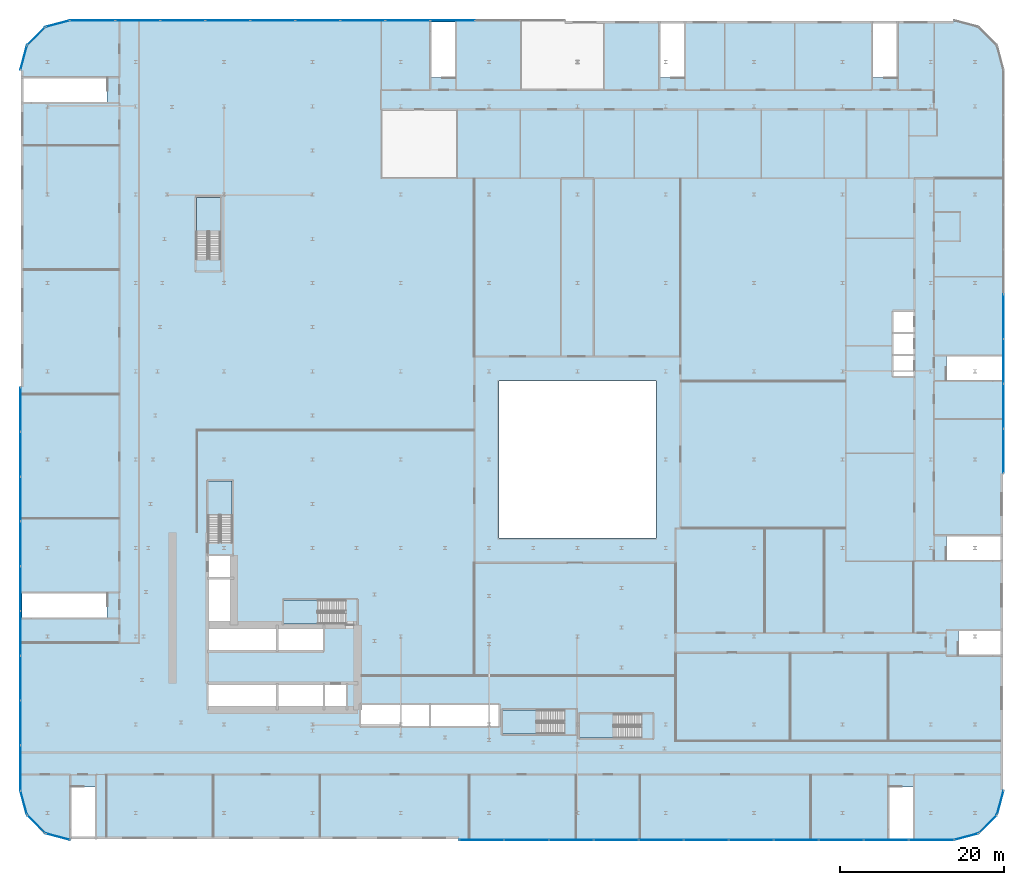
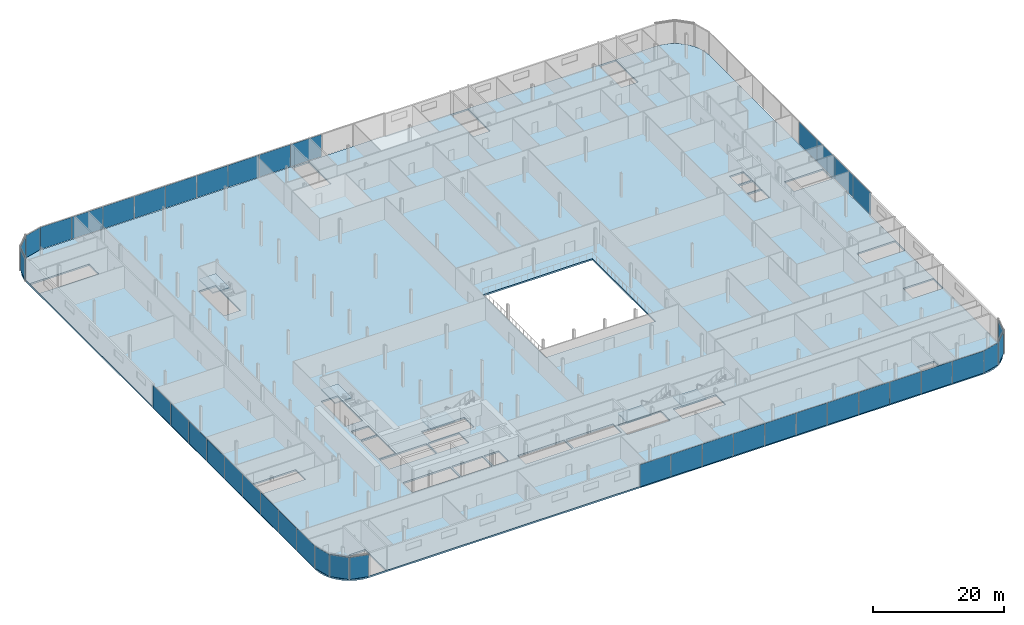
# One storey, part 24 of 43: 42 plates, 6 slabs, 18 elements without a shape of their own.
"""IFC4 building model written with IfcOpenShell, lengths in metres."""

from ifc_helpers import new_model, si_unit, direction, frame, origin, origin_2d, place, context, subcontext, project, spatial, polyline, rectangle, outline, extrude, material, layer, layer_set, type_object, element, aggregate, save


model = new_model("IFC4")

# Units and contexts
model_context = context("Model", 3, precision=1e-05, world=origin(), true_north=direction((0.0, 1.0)))
body_context = subcontext(model_context, "Body", "Model", "MODEL_VIEW")
ifc_project = project(units=[si_unit("LENGTHUNIT", "METRE"), si_unit("AREAUNIT", "SQUARE_METRE"), si_unit("VOLUMEUNIT", "CUBIC_METRE"), si_unit("PLANEANGLEUNIT", "RADIAN"), si_unit("MASSUNIT", "GRAM", prefix="KILO")], contexts=[model_context])

# Site, building, storey
site_placement = place(None, origin())
site = spatial("IfcSite", under=ifc_project, at=site_placement, CompositionType="ELEMENT")
building_placement = place(site_placement, origin())
building = spatial("IfcBuilding", under=site, at=building_placement, Name="Kheshtan School and Residences Tower", CompositionType="ELEMENT")
storey_placement = place(building_placement, frame((0.0, 0.0, 26.0)))
storey = spatial("IfcBuildingStorey", under=building, at=storey_placement, Name="L05", CompositionType="ELEMENT", Elevation=26.0)

# Curtain wall, plate
ifc_material_1 = material(Name="Clear low-e glass in thermally broken aluminium frame", Category="aluminium")
ifc_layer_1 = layer(ifc_material_1, 0.22509765625)
ifc_layer_set_1 = layer_set([ifc_layer_1], Name="Curtain wall CW-P")
curtain_wall_type = type_object("IfcCurtainWallType", Name="Curtain wall CW-P", PredefinedType="NOTDEFINED", material=ifc_layer_set_1)
curtain_wall_1_placement = place(storey_placement, origin())
curtain_wall_1 = element("IfcCurtainWall", 1, at=curtain_wall_1_placement, inside=storey, type_object=curtain_wall_type, Name="Curtain wall CWP1a", PredefinedType="NOTDEFINED")
ifc_layer_2 = layer(ifc_material_1, 0.035888671875)
ifc_layer_set_2 = layer_set([ifc_layer_2], Name="CW-P glass panel")
plate_type = type_object("IfcPlateType", Name="CW-P glass panel", PredefinedType="CURTAIN_PANEL", material=ifc_layer_set_2)
plate_1_placement = place(storey_placement, frame((12.305419921875, 105.52587890625, 0.0), z_axis=(0.0, 0.0, 1.0), x_axis=(0.258864833085, 0.965913556273, 0.0)))
plate_1 = element("IfcPlate", 2, at=plate_1_placement, type_object=plate_type, Name="CWP1a panel 1.1", PredefinedType="CURTAIN_PANEL", context=body_context, shape_type="SweptSolid", body=[
    extrude(rectangle(XDim=2.98583984375, YDim=0.035888671875, at=origin_2d()), origin(), (0.0, 0.0, 1.0), 4.110107421875),
])
aggregate(curtain_wall_1, [plate_1])

curtain_wall_2_placement = place(storey_placement, origin())
curtain_wall_2 = element("IfcCurtainWall", 3, at=curtain_wall_2_placement, inside=storey, type_object=curtain_wall_type, Name="Curtain wall CWP2a", PredefinedType="NOTDEFINED")
plate_2_placement = place(storey_placement, frame((13.831298828125, 108.168701171875, 0.0), z_axis=(0.0, 0.0, 1.0), x_axis=(0.707106781187, 0.707106781187, 0.0)))
plate_2 = element("IfcPlate", 4, at=plate_2_placement, type_object=plate_type, Name="CWP2a panel 1.1", PredefinedType="CURTAIN_PANEL", context=body_context, shape_type="SweptSolid", body=[
    extrude(rectangle(XDim=2.985595703125, YDim=0.035888671875, at=origin_2d()), origin(), (0.0, 0.0, 1.0), 4.110107421875),
])
aggregate(curtain_wall_2, [plate_2])

curtain_wall_3_placement = place(storey_placement, origin())
curtain_wall_3 = element("IfcCurtainWall", 5, at=curtain_wall_3_placement, inside=storey, type_object=curtain_wall_type, Name="Curtain wall CWP3a", PredefinedType="NOTDEFINED")
plate_3_placement = place(storey_placement, frame((16.47412109375, 109.694580078125, 0.0), z_axis=(0.0, 0.0, 1.0), x_axis=(0.965913556273, 0.258864833085, 0.0)))
plate_3 = element("IfcPlate", 6, at=plate_3_placement, type_object=plate_type, Name="CWP3a panel 1.1", PredefinedType="CURTAIN_PANEL", context=body_context, shape_type="SweptSolid", body=[
    extrude(rectangle(XDim=2.98583984375, YDim=0.035888671875, at=origin_2d()), origin(), (0.0, 0.0, 1.0), 4.110107421875),
])
aggregate(curtain_wall_3, [plate_3])

# Curtain wall, plates
curtain_wall_4_placement = place(storey_placement, origin())
curtain_wall_4 = element("IfcCurtainWall", 7, at=curtain_wall_4_placement, inside=storey, type_object=curtain_wall_type, Name="Curtain wall CWP4a", PredefinedType="NOTDEFINED")
plate_4_placement = place(storey_placement, frame((20.7216796875, 110.10009765625, 0.0), z_axis=(0.0, 0.0, 1.0), x_axis=(1.0, 0.0, 0.0)))
plate_4 = element("IfcPlate", 8, at=plate_4_placement, type_object=plate_type, Name="CWP4a panel 1.1", PredefinedType="CURTAIN_PANEL", context=body_context, shape_type="SweptSolid", body=[
    extrude(rectangle(XDim=5.4931640625, YDim=0.035888671875, at=origin_2d()), origin(), (0.0, 0.0, 1.0), 4.110107421875),
])
plate_5_placement = place(storey_placement, frame((26.247314453125, 110.10009765625, 0.0), z_axis=(0.0, 0.0, 1.0), x_axis=(1.0, 0.0, 0.0)))
plate_5 = element("IfcPlate", 9, at=plate_5_placement, type_object=plate_type, Name="CWP4a panel 2.1", PredefinedType="CURTAIN_PANEL", context=body_context, shape_type="SweptSolid", body=[
    extrude(rectangle(XDim=5.438232421875, YDim=0.035888671875, at=origin_2d()), origin(), (0.0, 0.0, 1.0), 4.110107421875),
])
plate_6_placement = place(storey_placement, frame((31.745361328125, 110.10009765625, 0.0), z_axis=(0.0, 0.0, 1.0), x_axis=(1.0, 0.0, 0.0)))
plate_6 = element("IfcPlate", 10, at=plate_6_placement, type_object=plate_type, Name="CWP4a panel 3.1", PredefinedType="CURTAIN_PANEL", context=body_context, shape_type="SweptSolid", body=[
    extrude(rectangle(XDim=5.438232421875, YDim=0.035888671875, at=origin_2d()), origin(), (0.0, 0.0, 1.0), 4.110107421875),
])
plate_7_placement = place(storey_placement, frame((37.24365234375, 110.10009765625, 0.0), z_axis=(0.0, 0.0, 1.0), x_axis=(1.0, 0.0, 0.0)))
plate_7 = element("IfcPlate", 11, at=plate_7_placement, type_object=plate_type, Name="CWP4a panel 4.1", PredefinedType="CURTAIN_PANEL", context=body_context, shape_type="SweptSolid", body=[
    extrude(rectangle(XDim=5.438232421875, YDim=0.035888671875, at=origin_2d()), origin(), (0.0, 0.0, 1.0), 4.110107421875),
])
plate_8_placement = place(storey_placement, frame((42.74169921875, 110.10009765625, 0.0), z_axis=(0.0, 0.0, 1.0), x_axis=(1.0, 0.0, 0.0)))
plate_8 = element("IfcPlate", 12, at=plate_8_placement, type_object=plate_type, Name="CWP4a panel 5.1", PredefinedType="CURTAIN_PANEL", context=body_context, shape_type="SweptSolid", body=[
    extrude(rectangle(XDim=5.438232421875, YDim=0.035888671875, at=origin_2d()), origin(), (0.0, 0.0, 1.0), 4.110107421875),
])
plate_9_placement = place(storey_placement, frame((48.239990234375, 110.10009765625, 0.0), z_axis=(0.0, 0.0, 1.0), x_axis=(1.0, 0.0, 0.0)))
plate_9 = element("IfcPlate", 13, at=plate_9_placement, type_object=plate_type, Name="CWP4a panel 6.1", PredefinedType="CURTAIN_PANEL", context=body_context, shape_type="SweptSolid", body=[
    extrude(rectangle(XDim=5.438232421875, YDim=0.035888671875, at=origin_2d()), origin(), (0.0, 0.0, 1.0), 4.110107421875),
])
plate_10_placement = place(storey_placement, frame((53.73828125, 110.10009765625, 0.0), z_axis=(0.0, 0.0, 1.0), x_axis=(1.0, 0.0, 0.0)))
plate_10 = element("IfcPlate", 14, at=plate_10_placement, type_object=plate_type, Name="CWP4a panel 7.1", PredefinedType="CURTAIN_PANEL", context=body_context, shape_type="SweptSolid", body=[
    extrude(rectangle(XDim=5.438232421875, YDim=0.035888671875, at=origin_2d()), origin(), (0.0, 0.0, 1.0), 4.110107421875),
])
plate_11_placement = place(storey_placement, frame((59.236328125, 110.10009765625, 0.0), z_axis=(0.0, 0.0, 1.0), x_axis=(1.0, 0.0, 0.0)))
plate_11 = element("IfcPlate", 15, at=plate_11_placement, type_object=plate_type, Name="CWP4a panel 8.1", PredefinedType="CURTAIN_PANEL", context=body_context, shape_type="SweptSolid", body=[
    extrude(rectangle(XDim=5.438232421875, YDim=0.035888671875, at=origin_2d()), origin(), (0.0, 0.0, 1.0), 4.110107421875),
])
plate_12_placement = place(storey_placement, frame((64.734619140625, 110.10009765625, 0.0), z_axis=(0.0, 0.0, 1.0), x_axis=(1.0, 0.0, 0.0)))
plate_12 = element("IfcPlate", 16, at=plate_12_placement, type_object=plate_type, Name="CWP4a panel 9.1", PredefinedType="CURTAIN_PANEL", context=body_context, shape_type="SweptSolid", body=[
    extrude(rectangle(XDim=5.438232421875, YDim=0.035888671875, at=origin_2d()), origin(), (0.0, 0.0, 1.0), 4.110107421875),
])
aggregate(curtain_wall_4, [plate_4, plate_5, plate_6, plate_7, plate_8, plate_9, plate_10, plate_11, plate_12])

curtain_wall_5_placement = place(storey_placement, origin())
curtain_wall_5 = element("IfcCurtainWall", 17, at=curtain_wall_5_placement, inside=storey, type_object=curtain_wall_type, Name="Curtain wall CWP8a", PredefinedType="NOTDEFINED")
plate_13_placement = place(storey_placement, frame((132.10009765625, 73.884521484375, 0.0), z_axis=(0.0, 0.0, 1.0), x_axis=(0.0, -1.0, 0.0)))
plate_13 = element("IfcPlate", 18, at=plate_13_placement, type_object=plate_type, Name="CWP8a panel 6.1", PredefinedType="CURTAIN_PANEL", context=body_context, shape_type="SweptSolid", body=[
    extrude(rectangle(XDim=5.41552734375, YDim=0.035888671875, at=origin_2d()), origin(), (0.0, 0.0, 1.0), 4.110107421875),
])
plate_14_placement = place(storey_placement, frame((132.10009765625, 68.408935546875, 0.0), z_axis=(0.0, 0.0, 1.0), x_axis=(0.0, -1.0, 0.0)))
plate_14 = element("IfcPlate", 19, at=plate_14_placement, type_object=plate_type, Name="CWP8a panel 7.1", PredefinedType="CURTAIN_PANEL", context=body_context, shape_type="SweptSolid", body=[
    extrude(rectangle(XDim=5.41552734375, YDim=0.035888671875, at=origin_2d()), origin(), (0.0, 0.0, 1.0), 4.110107421875),
])
plate_15_placement = place(storey_placement, frame((132.10009765625, 62.933349609375, 0.0), z_axis=(0.0, 0.0, 1.0), x_axis=(0.0, -1.0, 0.0)))
plate_15 = element("IfcPlate", 20, at=plate_15_placement, type_object=plate_type, Name="CWP8a panel 8.1", PredefinedType="CURTAIN_PANEL", context=body_context, shape_type="SweptSolid", body=[
    extrude(rectangle(XDim=5.41552734375, YDim=0.035888671875, at=origin_2d()), origin(), (0.0, 0.0, 1.0), 4.110107421875),
])
plate_16_placement = place(storey_placement, frame((132.10009765625, 57.47265625, 0.0), z_axis=(0.0, 0.0, 1.0), x_axis=(0.0, -1.0, 0.0)))
plate_16 = element("IfcPlate", 21, at=plate_16_placement, type_object=plate_type, Name="CWP8a panel 9.1", PredefinedType="CURTAIN_PANEL", context=body_context, shape_type="SweptSolid", body=[
    extrude(rectangle(XDim=5.385498046875, YDim=0.035888671875, at=origin_2d()), origin(), (0.0, 0.0, 1.0), 4.110107421875),
])
aggregate(curtain_wall_5, [plate_13, plate_14, plate_15, plate_16])

# Curtain wall, plate
curtain_wall_6_placement = place(storey_placement, origin())
curtain_wall_6 = element("IfcCurtainWall", 22, at=curtain_wall_6_placement, inside=storey, type_object=curtain_wall_type, Name="Curtain wall CWP9a", PredefinedType="NOTDEFINED")
plate_17_placement = place(storey_placement, frame((131.694580078125, 14.47412109375, 0.0), z_axis=(0.0, 0.0, 1.0), x_axis=(-0.258864833085, -0.965913556273, 0.0)))
plate_17 = element("IfcPlate", 23, at=plate_17_placement, type_object=plate_type, Name="CWP9a panel 1.1", PredefinedType="CURTAIN_PANEL", context=body_context, shape_type="SweptSolid", body=[
    extrude(rectangle(XDim=2.98583984375, YDim=0.035888671875, at=origin_2d()), origin(), (0.0, 0.0, 1.0), 4.110107421875),
])
aggregate(curtain_wall_6, [plate_17])

curtain_wall_7_placement = place(storey_placement, origin())
curtain_wall_7 = element("IfcCurtainWall", 24, at=curtain_wall_7_placement, inside=storey, type_object=curtain_wall_type, Name="Curtain wall CWP10a", PredefinedType="NOTDEFINED")
plate_18_placement = place(storey_placement, frame((130.168701171875, 11.831298828125, 0.0), z_axis=(0.0, 0.0, 1.0), x_axis=(-0.707106781187, -0.707106781187, 0.0)))
plate_18 = element("IfcPlate", 25, at=plate_18_placement, type_object=plate_type, Name="CWP10a panel 1.1", PredefinedType="CURTAIN_PANEL", context=body_context, shape_type="SweptSolid", body=[
    extrude(rectangle(XDim=2.985595703125, YDim=0.035888671875, at=origin_2d()), origin(), (0.0, 0.0, 1.0), 4.110107421875),
])
aggregate(curtain_wall_7, [plate_18])

curtain_wall_8_placement = place(storey_placement, origin())
curtain_wall_8 = element("IfcCurtainWall", 26, at=curtain_wall_8_placement, inside=storey, type_object=curtain_wall_type, Name="Curtain wall CWP11a", PredefinedType="NOTDEFINED")
plate_19_placement = place(storey_placement, frame((127.52587890625, 10.305419921875, 0.0), z_axis=(0.0, 0.0, 1.0), x_axis=(-0.965913556273, -0.258864833085, 0.0)))
plate_19 = element("IfcPlate", 27, at=plate_19_placement, type_object=plate_type, Name="CWP11a panel 1.1", PredefinedType="CURTAIN_PANEL", context=body_context, shape_type="SweptSolid", body=[
    extrude(rectangle(XDim=2.98583984375, YDim=0.035888671875, at=origin_2d()), origin(), (0.0, 0.0, 1.0), 4.110107421875),
])
aggregate(curtain_wall_8, [plate_19])

# Curtain wall, plates
curtain_wall_9_placement = place(storey_placement, origin())
curtain_wall_9 = element("IfcCurtainWall", 28, at=curtain_wall_9_placement, inside=storey, type_object=curtain_wall_type, Name="Curtain wall CWP12a", PredefinedType="NOTDEFINED")
plate_20_placement = place(storey_placement, frame((123.2783203125, 9.89990234375, 0.0), z_axis=(0.0, 0.0, 1.0), x_axis=(-1.0, 0.0, 0.0)))
plate_20 = element("IfcPlate", 29, at=plate_20_placement, type_object=plate_type, Name="CWP12a panel 1.1", PredefinedType="CURTAIN_PANEL", context=body_context, shape_type="SweptSolid", body=[
    extrude(rectangle(XDim=5.4931640625, YDim=0.035888671875, at=origin_2d()), origin(), (0.0, 0.0, 1.0), 4.110107421875),
])
plate_21_placement = place(storey_placement, frame((117.752685546875, 9.89990234375, 0.0), z_axis=(0.0, 0.0, 1.0), x_axis=(-1.0, 0.0, 0.0)))
plate_21 = element("IfcPlate", 30, at=plate_21_placement, type_object=plate_type, Name="CWP12a panel 2.1", PredefinedType="CURTAIN_PANEL", context=body_context, shape_type="SweptSolid", body=[
    extrude(rectangle(XDim=5.438232421875, YDim=0.035888671875, at=origin_2d()), origin(), (0.0, 0.0, 1.0), 4.110107421875),
])
plate_22_placement = place(storey_placement, frame((112.254638671875, 9.89990234375, 0.0), z_axis=(0.0, 0.0, 1.0), x_axis=(-1.0, 0.0, 0.0)))
plate_22 = element("IfcPlate", 31, at=plate_22_placement, type_object=plate_type, Name="CWP12a panel 3.1", PredefinedType="CURTAIN_PANEL", context=body_context, shape_type="SweptSolid", body=[
    extrude(rectangle(XDim=5.438232421875, YDim=0.035888671875, at=origin_2d()), origin(), (0.0, 0.0, 1.0), 4.110107421875),
])
plate_23_placement = place(storey_placement, frame((106.75634765625, 9.89990234375, 0.0), z_axis=(0.0, 0.0, 1.0), x_axis=(-1.0, 0.0, 0.0)))
plate_23 = element("IfcPlate", 32, at=plate_23_placement, type_object=plate_type, Name="CWP12a panel 4.1", PredefinedType="CURTAIN_PANEL", context=body_context, shape_type="SweptSolid", body=[
    extrude(rectangle(XDim=5.438232421875, YDim=0.035888671875, at=origin_2d()), origin(), (0.0, 0.0, 1.0), 4.110107421875),
])
plate_24_placement = place(storey_placement, frame((101.25830078125, 9.89990234375, 0.0), z_axis=(0.0, 0.0, 1.0), x_axis=(-1.0, 0.0, 0.0)))
plate_24 = element("IfcPlate", 33, at=plate_24_placement, type_object=plate_type, Name="CWP12a panel 5.1", PredefinedType="CURTAIN_PANEL", context=body_context, shape_type="SweptSolid", body=[
    extrude(rectangle(XDim=5.438232421875, YDim=0.035888671875, at=origin_2d()), origin(), (0.0, 0.0, 1.0), 4.110107421875),
])
plate_25_placement = place(storey_placement, frame((95.760009765625, 9.89990234375, 0.0), z_axis=(0.0, 0.0, 1.0), x_axis=(-1.0, 0.0, 0.0)))
plate_25 = element("IfcPlate", 34, at=plate_25_placement, type_object=plate_type, Name="CWP12a panel 6.1", PredefinedType="CURTAIN_PANEL", context=body_context, shape_type="SweptSolid", body=[
    extrude(rectangle(XDim=5.438232421875, YDim=0.035888671875, at=origin_2d()), origin(), (0.0, 0.0, 1.0), 4.110107421875),
])
plate_26_placement = place(storey_placement, frame((90.26171875, 9.89990234375, 0.0), z_axis=(0.0, 0.0, 1.0), x_axis=(-1.0, 0.0, 0.0)))
plate_26 = element("IfcPlate", 35, at=plate_26_placement, type_object=plate_type, Name="CWP12a panel 7.1", PredefinedType="CURTAIN_PANEL", context=body_context, shape_type="SweptSolid", body=[
    extrude(rectangle(XDim=5.438232421875, YDim=0.035888671875, at=origin_2d()), origin(), (0.0, 0.0, 1.0), 4.110107421875),
])
plate_27_placement = place(storey_placement, frame((84.763671875, 9.89990234375, 0.0), z_axis=(0.0, 0.0, 1.0), x_axis=(-1.0, 0.0, 0.0)))
plate_27 = element("IfcPlate", 36, at=plate_27_placement, type_object=plate_type, Name="CWP12a panel 8.1", PredefinedType="CURTAIN_PANEL", context=body_context, shape_type="SweptSolid", body=[
    extrude(rectangle(XDim=5.438232421875, YDim=0.035888671875, at=origin_2d()), origin(), (0.0, 0.0, 1.0), 4.110107421875),
])
plate_28_placement = place(storey_placement, frame((79.265380859375, 9.89990234375, 0.0), z_axis=(0.0, 0.0, 1.0), x_axis=(-1.0, 0.0, 0.0)))
plate_28 = element("IfcPlate", 37, at=plate_28_placement, type_object=plate_type, Name="CWP12a panel 9.1", PredefinedType="CURTAIN_PANEL", context=body_context, shape_type="SweptSolid", body=[
    extrude(rectangle(XDim=5.438232421875, YDim=0.035888671875, at=origin_2d()), origin(), (0.0, 0.0, 1.0), 4.110107421875),
])
plate_29_placement = place(storey_placement, frame((73.767333984375, 9.89990234375, 0.0), z_axis=(0.0, 0.0, 1.0), x_axis=(-1.0, 0.0, 0.0)))
plate_29 = element("IfcPlate", 38, at=plate_29_placement, type_object=plate_type, Name="CWP12a panel 10.1", PredefinedType="CURTAIN_PANEL", context=body_context, shape_type="SweptSolid", body=[
    extrude(rectangle(XDim=5.438232421875, YDim=0.035888671875, at=origin_2d()), origin(), (0.0, 0.0, 1.0), 4.110107421875),
])
plate_30_placement = place(storey_placement, frame((68.2841796875, 9.89990234375, 0.0), z_axis=(0.0, 0.0, 1.0), x_axis=(-1.0, 0.0, 0.0)))
plate_30 = element("IfcPlate", 39, at=plate_30_placement, type_object=plate_type, Name="CWP12a panel 11.1", PredefinedType="CURTAIN_PANEL", context=body_context, shape_type="SweptSolid", body=[
    extrude(rectangle(XDim=5.408203125, YDim=0.035888671875, at=origin_2d()), origin(), (0.0, 0.0, 1.0), 4.110107421875),
])
aggregate(curtain_wall_9, [plate_20, plate_21, plate_22, plate_23, plate_24, plate_25, plate_26, plate_27, plate_28, plate_29, plate_30])

# Curtain wall, plate
curtain_wall_10_placement = place(storey_placement, origin())
curtain_wall_10 = element("IfcCurtainWall", 40, at=curtain_wall_10_placement, inside=storey, type_object=curtain_wall_type, Name="Curtain wall CWP13a", PredefinedType="NOTDEFINED")
plate_31_placement = place(storey_placement, frame((16.47412109375, 10.305419921875, 0.0), z_axis=(0.0, 0.0, 1.0), x_axis=(-0.965913556273, 0.258864833085, 0.0)))
plate_31 = element("IfcPlate", 41, at=plate_31_placement, type_object=plate_type, Name="CWP13a panel 1.1", PredefinedType="CURTAIN_PANEL", context=body_context, shape_type="SweptSolid", body=[
    extrude(rectangle(XDim=2.98583984375, YDim=0.035888671875, at=origin_2d()), origin(), (0.0, 0.0, 1.0), 4.110107421875),
])
aggregate(curtain_wall_10, [plate_31])

curtain_wall_11_placement = place(storey_placement, origin())
curtain_wall_11 = element("IfcCurtainWall", 42, at=curtain_wall_11_placement, inside=storey, type_object=curtain_wall_type, Name="Curtain wall CWP14a", PredefinedType="NOTDEFINED")
plate_32_placement = place(storey_placement, frame((13.831298828125, 11.831298828125, 0.0), z_axis=(0.0, 0.0, 1.0), x_axis=(-0.707106781187, 0.707106781187, 0.0)))
plate_32 = element("IfcPlate", 43, at=plate_32_placement, type_object=plate_type, Name="CWP14a panel 1.1", PredefinedType="CURTAIN_PANEL", context=body_context, shape_type="SweptSolid", body=[
    extrude(rectangle(XDim=2.985595703125, YDim=0.035888671875, at=origin_2d()), origin(), (0.0, 0.0, 1.0), 4.110107421875),
])
aggregate(curtain_wall_11, [plate_32])

curtain_wall_12_placement = place(storey_placement, origin())
curtain_wall_12 = element("IfcCurtainWall", 44, at=curtain_wall_12_placement, inside=storey, type_object=curtain_wall_type, Name="Curtain wall CWP15a", PredefinedType="NOTDEFINED")
plate_33_placement = place(storey_placement, frame((12.305419921875, 14.47412109375, 0.0), z_axis=(0.0, 0.0, 1.0), x_axis=(-0.258864833085, 0.965913556273, 0.0)))
plate_33 = element("IfcPlate", 45, at=plate_33_placement, type_object=plate_type, Name="CWP15a panel 1.1", PredefinedType="CURTAIN_PANEL", context=body_context, shape_type="SweptSolid", body=[
    extrude(rectangle(XDim=2.98583984375, YDim=0.035888671875, at=origin_2d()), origin(), (0.0, 0.0, 1.0), 4.110107421875),
])
aggregate(curtain_wall_12, [plate_33])

# Curtain wall, plates
curtain_wall_13_placement = place(storey_placement, origin())
curtain_wall_13 = element("IfcCurtainWall", 46, at=curtain_wall_13_placement, inside=storey, type_object=curtain_wall_type, Name="Curtain wall CWP16a", PredefinedType="NOTDEFINED")
plate_34_placement = place(storey_placement, frame((11.89990234375, 18.71044921875, 0.0), z_axis=(0.0, 0.0, 1.0), x_axis=(0.0, 1.0, 0.0)))
plate_34 = element("IfcPlate", 47, at=plate_34_placement, type_object=plate_type, Name="CWP16a panel 1.1", PredefinedType="CURTAIN_PANEL", context=body_context, shape_type="SweptSolid", body=[
    extrude(rectangle(XDim=5.470458984375, YDim=0.035888671875, at=origin_2d()), origin(), (0.0, 0.0, 1.0), 4.110107421875),
])
plate_35_placement = place(storey_placement, frame((11.89990234375, 24.21337890625, 0.0), z_axis=(0.0, 0.0, 1.0), x_axis=(0.0, 1.0, 0.0)))
plate_35 = element("IfcPlate", 48, at=plate_35_placement, type_object=plate_type, Name="CWP16a panel 2.1", PredefinedType="CURTAIN_PANEL", context=body_context, shape_type="SweptSolid", body=[
    extrude(rectangle(XDim=5.41552734375, YDim=0.035888671875, at=origin_2d()), origin(), (0.0, 0.0, 1.0), 4.110107421875),
])
plate_36_placement = place(storey_placement, frame((11.89990234375, 29.68896484375, 0.0), z_axis=(0.0, 0.0, 1.0), x_axis=(0.0, 1.0, 0.0)))
plate_36 = element("IfcPlate", 49, at=plate_36_placement, type_object=plate_type, Name="CWP16a panel 3.1", PredefinedType="CURTAIN_PANEL", context=body_context, shape_type="SweptSolid", body=[
    extrude(rectangle(XDim=5.41552734375, YDim=0.035888671875, at=origin_2d()), origin(), (0.0, 0.0, 1.0), 4.110107421875),
])
plate_37_placement = place(storey_placement, frame((11.89990234375, 35.16455078125, 0.0), z_axis=(0.0, 0.0, 1.0), x_axis=(0.0, 1.0, 0.0)))
plate_37 = element("IfcPlate", 50, at=plate_37_placement, type_object=plate_type, Name="CWP16a panel 4.1", PredefinedType="CURTAIN_PANEL", context=body_context, shape_type="SweptSolid", body=[
    extrude(rectangle(XDim=5.41552734375, YDim=0.035888671875, at=origin_2d()), origin(), (0.0, 0.0, 1.0), 4.110107421875),
])
plate_38_placement = place(storey_placement, frame((11.89990234375, 40.639892578125, 0.0), z_axis=(0.0, 0.0, 1.0), x_axis=(0.0, 1.0, 0.0)))
plate_38 = element("IfcPlate", 51, at=plate_38_placement, type_object=plate_type, Name="CWP16a panel 5.1", PredefinedType="CURTAIN_PANEL", context=body_context, shape_type="SweptSolid", body=[
    extrude(rectangle(XDim=5.41552734375, YDim=0.035888671875, at=origin_2d()), origin(), (0.0, 0.0, 1.0), 4.110107421875),
])
plate_39_placement = place(storey_placement, frame((11.89990234375, 46.115478515625, 0.0), z_axis=(0.0, 0.0, 1.0), x_axis=(0.0, 1.0, 0.0)))
plate_39 = element("IfcPlate", 52, at=plate_39_placement, type_object=plate_type, Name="CWP16a panel 6.1", PredefinedType="CURTAIN_PANEL", context=body_context, shape_type="SweptSolid", body=[
    extrude(rectangle(XDim=5.41552734375, YDim=0.035888671875, at=origin_2d()), origin(), (0.0, 0.0, 1.0), 4.110107421875),
])
plate_40_placement = place(storey_placement, frame((11.89990234375, 51.591064453125, 0.0), z_axis=(0.0, 0.0, 1.0), x_axis=(0.0, 1.0, 0.0)))
plate_40 = element("IfcPlate", 53, at=plate_40_placement, type_object=plate_type, Name="CWP16a panel 7.1", PredefinedType="CURTAIN_PANEL", context=body_context, shape_type="SweptSolid", body=[
    extrude(rectangle(XDim=5.41552734375, YDim=0.035888671875, at=origin_2d()), origin(), (0.0, 0.0, 1.0), 4.110107421875),
])
plate_41_placement = place(storey_placement, frame((11.89990234375, 57.066650390625, 0.0), z_axis=(0.0, 0.0, 1.0), x_axis=(0.0, 1.0, 0.0)))
plate_41 = element("IfcPlate", 54, at=plate_41_placement, type_object=plate_type, Name="CWP16a panel 8.1", PredefinedType="CURTAIN_PANEL", context=body_context, shape_type="SweptSolid", body=[
    extrude(rectangle(XDim=5.41552734375, YDim=0.035888671875, at=origin_2d()), origin(), (0.0, 0.0, 1.0), 4.110107421875),
])
plate_42_placement = place(storey_placement, frame((11.89990234375, 62.52734375, 0.0), z_axis=(0.0, 0.0, 1.0), x_axis=(0.0, 1.0, 0.0)))
plate_42 = element("IfcPlate", 55, at=plate_42_placement, type_object=plate_type, Name="CWP16a panel 9.1", PredefinedType="CURTAIN_PANEL", context=body_context, shape_type="SweptSolid", body=[
    extrude(rectangle(XDim=5.385498046875, YDim=0.035888671875, at=origin_2d()), origin(), (0.0, 0.0, 1.0), 4.110107421875),
])
aggregate(curtain_wall_13, [plate_34, plate_35, plate_36, plate_37, plate_38, plate_39, plate_40, plate_41, plate_42])

# Slab
ifc_material_2 = material(Name="Concrete C40/50", Category="concrete")
ifc_layer_3 = layer(ifc_material_2, 0.300048828125)
ifc_layer_set_3 = layer_set([ifc_layer_3], Name="Floor slab 300 Concrete C40/50")
slab_type_1 = type_object("IfcSlabType", Name="Floor slab 300 Concrete C40/50", PredefinedType="FLOOR", material=ifc_layer_set_3)
slab_1_placement = place(storey_placement, frame((0.0, 0.0, -0.300048828125)))
element("IfcSlab", 56, at=slab_1_placement, inside=storey, type_object=slab_type_1, Name="Floor slab L05", PredefinedType="FLOOR", context=body_context, shape_type="SweptSolid", body=[
    extrude(outline(polyline([(131.196044921875, 107.0), (131.637939453125, 106.052001953125), (131.908935546875, 105.0419921875), (132.0, 104.0), (132.0, 16.0), (131.908935546875, 14.9580078125), (131.637939453125, 13.947998046875), (131.196044921875, 13.0), (130.595947265625, 12.14306640625), (129.85693359375, 11.404052734375), (129.0, 10.803955078125), (128.052001953125, 10.362060546875), (127.0419921875, 10.091064453125), (126.0, 10.0), (18.0, 10.0), (16.9580078125, 10.091064453125), (15.947998046875, 10.362060546875), (15.0, 10.803955078125), (14.14306640625, 11.404052734375), (13.404052734375, 12.14306640625), (12.803955078125, 13.0), (12.362060546875, 13.947998046875), (12.091064453125, 14.9580078125), (12.0, 16.0), (12.0, 104.0), (12.091064453125, 105.0419921875), (12.362060546875, 106.052001953125), (12.803955078125, 107.0), (13.404052734375, 107.85693359375), (14.14306640625, 108.595947265625), (15.0, 109.196044921875), (15.947998046875, 109.637939453125), (16.9580078125, 109.908935546875), (18.0, 110.0), (126.0, 110.0), (127.0419921875, 109.908935546875), (128.052001953125, 109.637939453125), (129.0, 109.196044921875), (129.85693359375, 108.595947265625), (130.595947265625, 107.85693359375), (131.196044921875, 107.0)]), holes=[polyline([(21.050048828125, 10.10009765625), (21.050048828125, 16.389892578125), (19.64990234375, 16.389892578125), (19.64990234375, 16.39990234375), (18.10009765625, 16.39990234375), (18.10009765625, 10.10009765625), (21.050048828125, 10.10009765625)]), polyline([(53.52490234375, 26.425048828125), (53.52490234375, 23.824951171875), (61.824951171875, 23.824951171875), (61.824951171875, 26.425048828125), (53.52490234375, 26.425048828125)]), polyline([(34.875, 28.925048828125), (34.875, 25.925048828125), (43.175048828125, 25.925048828125), (43.175048828125, 28.925048828125), (34.875, 28.925048828125)]), polyline([(48.875, 25.925048828125), (48.875, 28.925048828125), (43.425048828125, 28.925048828125), (43.425048828125, 25.925048828125), (48.875, 25.925048828125)]), polyline([(49.125, 25.925048828125), (51.72509765625, 25.925048828125), (51.72509765625, 28.925048828125), (49.125, 28.925048828125), (49.125, 25.925048828125)]), polyline([(34.875, 36.074951171875), (34.875, 33.074951171875), (43.175048828125, 33.074951171875), (43.175048828125, 36.074951171875), (34.875, 36.074951171875)]), polyline([(48.875, 33.074951171875), (48.875, 36.074951171875), (43.425048828125, 36.074951171875), (43.425048828125, 33.074951171875), (48.875, 33.074951171875)]), polyline([(51.639892578125, 37.699951171875), (51.64990234375, 37.699951171875), (51.64990234375, 39.25), (44.090087890625, 39.25), (44.090087890625, 36.300048828125), (51.639892578125, 36.300048828125), (51.639892578125, 37.699951171875)]), polyline([(22.5, 38.5), (22.5, 40.050048828125), (12.10009765625, 40.050048828125), (12.10009765625, 37.10009765625), (22.489990234375, 37.10009765625), (22.489990234375, 38.5), (22.5, 38.5)]), polyline([(34.875, 36.324951171875), (37.875, 36.324951171875), (37.875, 41.77490234375), (34.875, 41.77490234375), (34.875, 36.324951171875)]), polyline([(34.875, 42.02490234375), (37.875, 42.02490234375), (37.875, 44.625), (34.875, 44.625), (34.875, 42.02490234375)]), polyline([(34.85009765625, 46.260009765625), (36.25, 46.260009765625), (36.25, 46.25), (37.800048828125, 46.25), (37.800048828125, 53.81005859375), (34.85009765625, 53.81005859375), (34.85009765625, 46.260009765625)]), polyline([(33.39990234375, 80.909912109375), (34.800048828125, 80.909912109375), (34.800048828125, 80.89990234375), (36.35009765625, 80.89990234375), (36.35009765625, 88.4599609375), (33.39990234375, 88.4599609375), (33.39990234375, 80.909912109375)]), polyline([(22.5, 101.5), (22.5, 103.050048828125), (12.10009765625, 103.050048828125), (12.10009765625, 100.10009765625), (22.489990234375, 100.10009765625), (22.489990234375, 101.5), (22.5, 101.5)]), polyline([(119.64990234375, 16.389892578125), (119.64990234375, 16.39990234375), (118.10009765625, 16.39990234375), (118.10009765625, 10.10009765625), (121.050048828125, 10.10009765625), (121.050048828125, 16.389892578125), (119.64990234375, 16.389892578125)]), polyline([(87.820068359375, 23.75), (87.820068359375, 25.300048828125), (80.260009765625, 25.300048828125), (80.260009765625, 22.35009765625), (87.81005859375, 22.35009765625), (87.81005859375, 23.75), (87.820068359375, 23.75)]), polyline([(78.409912109375, 24.25), (78.409912109375, 25.800048828125), (70.85009765625, 25.800048828125), (70.85009765625, 22.85009765625), (78.39990234375, 22.85009765625), (78.39990234375, 24.25), (78.409912109375, 24.25)]), polyline([(70.375, 23.824951171875), (70.375, 26.425048828125), (62.074951171875, 26.425048828125), (62.074951171875, 23.824951171875), (70.375, 23.824951171875)]), polyline([(126.590087890625, 35.47509765625), (126.590087890625, 34.074951171875), (126.580078125, 34.074951171875), (126.580078125, 32.52490234375), (131.89990234375, 32.52490234375), (131.89990234375, 35.47509765625), (126.590087890625, 35.47509765625)]), polyline([(125.110107421875, 47.050048828125), (125.110107421875, 45.64990234375), (125.10009765625, 45.64990234375), (125.10009765625, 44.10009765625), (131.89990234375, 44.10009765625), (131.89990234375, 47.050048828125), (125.110107421875, 47.050048828125)]), polyline([(70.39990234375, 46.800048828125), (89.60009765625, 46.800048828125), (89.60009765625, 66.0), (70.39990234375, 66.0), (70.39990234375, 46.800048828125)]), polyline([(125.110107421875, 67.64990234375), (125.10009765625, 67.64990234375), (125.10009765625, 66.10009765625), (131.89990234375, 66.10009765625), (131.89990234375, 69.050048828125), (125.110107421875, 69.050048828125), (125.110107421875, 67.64990234375)]), polyline([(118.625, 66.625), (121.074951171875, 66.625), (121.074951171875, 69.074951171875), (118.625, 69.074951171875), (118.625, 66.625)]), polyline([(118.625, 69.324951171875), (121.074951171875, 69.324951171875), (121.074951171875, 71.77490234375), (118.625, 71.77490234375), (118.625, 69.324951171875)]), polyline([(118.625, 72.02490234375), (121.074951171875, 72.02490234375), (121.074951171875, 74.47509765625), (118.625, 74.47509765625), (118.625, 72.02490234375)]), polyline([(65.050048828125, 109.89990234375), (62.10009765625, 109.89990234375), (62.10009765625, 103.110107421875), (63.5, 103.110107421875), (63.5, 103.10009765625), (65.050048828125, 103.10009765625), (65.050048828125, 109.89990234375)]), polyline([(93.050048828125, 109.89990234375), (90.10009765625, 109.89990234375), (90.10009765625, 103.110107421875), (91.5, 103.110107421875), (91.5, 103.10009765625), (93.050048828125, 103.10009765625), (93.050048828125, 109.89990234375)]), polyline([(119.050048828125, 109.89990234375), (116.10009765625, 109.89990234375), (116.10009765625, 103.110107421875), (117.5, 103.110107421875), (117.5, 103.10009765625), (119.050048828125, 103.10009765625), (119.050048828125, 109.89990234375)])]), origin(), (0.0, 0.0, 1.0), 0.300048828125),
])

# Stair, slab
stair_type = type_object("IfcStairType", Name="Exit stair, half-turn", PredefinedType="HALF_TURN_STAIR", material=ifc_material_2)
stair_1_placement = place(storey_placement, origin())
stair_1 = element("IfcStair", 57, at=stair_1_placement, inside=storey, type_object=stair_type, Name="L05 Protected Exit Stair ST1", PredefinedType="HALF_TURN_STAIR")
ifc_layer_4 = layer(ifc_material_2, 0.199951171875)
ifc_layer_set_4 = layer_set([ifc_layer_4], Name="Stair landing 200 Concrete C40/50")
slab_type_2 = type_object("IfcSlabType", Name="Stair landing 200 Concrete C40/50", PredefinedType="LANDING", material=ifc_layer_set_4)
slab_2_placement = place(storey_placement, frame((0.0, 0.0, 2.050048828125)))
slab_2 = element("IfcSlab", 58, at=slab_2_placement, type_object=slab_type_2, Name="ST1 landing 1", PredefinedType="LANDING", context=body_context, shape_type="SweptSolid", body=[
    extrude(outline(polyline([(48.2900390625, 39.25), (44.090087890625, 39.25), (44.090087890625, 36.300048828125), (48.2900390625, 36.300048828125), (48.2900390625, 39.25)])), origin(), (0.0, 0.0, 1.0), 0.199951171875),
])
aggregate(stair_1, [slab_2])

stair_2_placement = place(storey_placement, origin())
stair_2 = element("IfcStair", 59, at=stair_2_placement, inside=storey, type_object=stair_type, Name="L05 Protected Exit Stair ST2", PredefinedType="HALF_TURN_STAIR")
slab_3_placement = place(storey_placement, frame((0.0, 0.0, 2.050048828125)))
slab_3 = element("IfcSlab", 60, at=slab_3_placement, type_object=slab_type_2, Name="ST2 landing 1", PredefinedType="LANDING", context=body_context, shape_type="SweptSolid", body=[
    extrude(outline(polyline([(37.800048828125, 49.610107421875), (37.800048828125, 53.81005859375), (34.85009765625, 53.81005859375), (34.85009765625, 49.610107421875), (37.800048828125, 49.610107421875)])), origin(), (0.0, 0.0, 1.0), 0.199951171875),
])
aggregate(stair_2, [slab_3])

stair_3_placement = place(storey_placement, origin())
stair_3 = element("IfcStair", 61, at=stair_3_placement, inside=storey, type_object=stair_type, Name="L05 Protected Exit Stair ST3", PredefinedType="HALF_TURN_STAIR")
slab_4_placement = place(storey_placement, frame((0.0, 0.0, 2.050048828125)))
slab_4 = element("IfcSlab", 62, at=slab_4_placement, type_object=slab_type_2, Name="ST3 landing 1", PredefinedType="LANDING", context=body_context, shape_type="SweptSolid", body=[
    extrude(outline(polyline([(36.35009765625, 84.260009765625), (36.35009765625, 88.4599609375), (33.39990234375, 88.4599609375), (33.39990234375, 84.260009765625), (36.35009765625, 84.260009765625)])), origin(), (0.0, 0.0, 1.0), 0.199951171875),
])
aggregate(stair_3, [slab_4])

stair_4_placement = place(storey_placement, origin())
stair_4 = element("IfcStair", 63, at=stair_4_placement, inside=storey, type_object=stair_type, Name="L05 Protected Exit Stair ST4", PredefinedType="HALF_TURN_STAIR")
slab_5_placement = place(storey_placement, frame((0.0, 0.0, 2.050048828125)))
slab_5 = element("IfcSlab", 64, at=slab_5_placement, type_object=slab_type_2, Name="ST4 landing 1", PredefinedType="LANDING", context=body_context, shape_type="SweptSolid", body=[
    extrude(outline(polyline([(84.4599609375, 25.300048828125), (80.260009765625, 25.300048828125), (80.260009765625, 22.35009765625), (84.4599609375, 22.35009765625), (84.4599609375, 25.300048828125)])), origin(), (0.0, 0.0, 1.0), 0.199951171875),
])
aggregate(stair_4, [slab_5])

stair_5_placement = place(storey_placement, origin())
stair_5 = element("IfcStair", 65, at=stair_5_placement, inside=storey, type_object=stair_type, Name="L05 Protected Exit Stair ST5", PredefinedType="HALF_TURN_STAIR")
slab_6_placement = place(storey_placement, frame((0.0, 0.0, 2.050048828125)))
slab_6 = element("IfcSlab", 66, at=slab_6_placement, type_object=slab_type_2, Name="ST5 landing 1", PredefinedType="LANDING", context=body_context, shape_type="SweptSolid", body=[
    extrude(outline(polyline([(75.050048828125, 25.800048828125), (70.85009765625, 25.800048828125), (70.85009765625, 22.85009765625), (75.050048828125, 22.85009765625), (75.050048828125, 25.800048828125)])), origin(), (0.0, 0.0, 1.0), 0.199951171875),
])
aggregate(stair_5, [slab_6])

save(model, "model.ifc")
